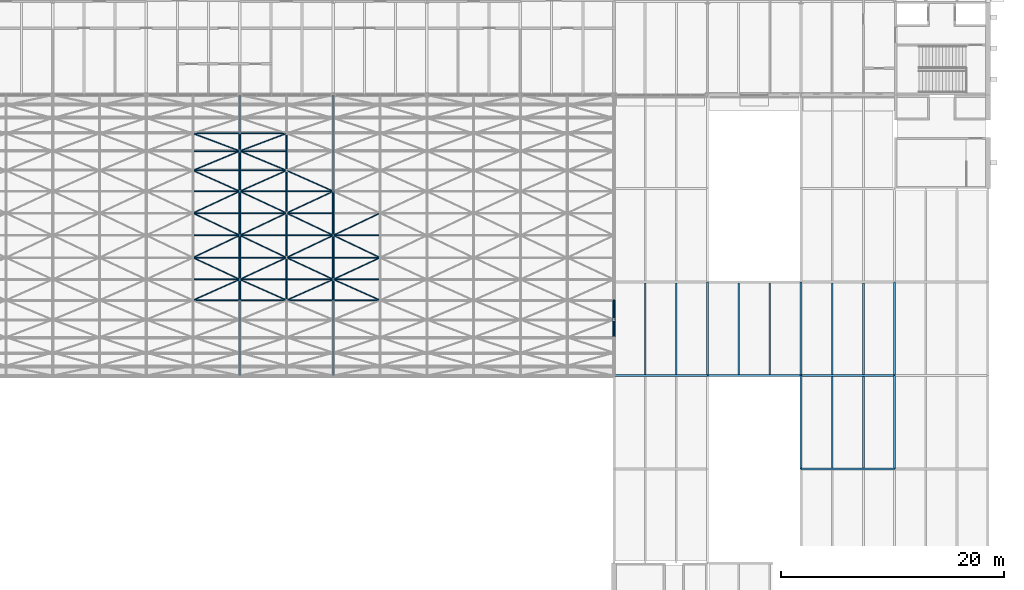
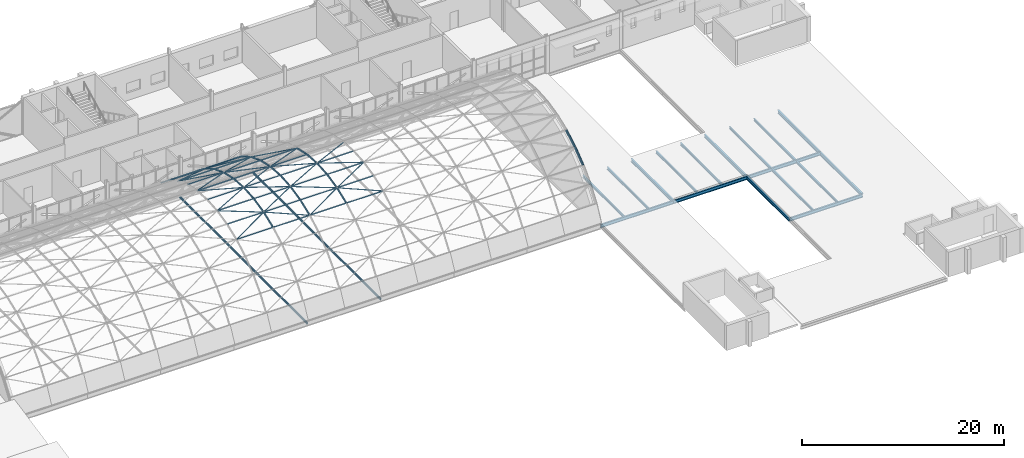
# One storey, part 51 of 121: 79 members, 17 beams.
"""IFC4 building model written with IfcOpenShell, lengths in metres."""

from ifc_helpers import new_model, si_unit, direction, frame, origin, origin_2d, place, context, subcontext, project, spatial, hollow_circle, i_section, extrude, material, material_profile, profile_set, type_object, element, save


model = new_model("IFC4")

# Units and contexts
model_context = context("Model", 3, precision=1e-05, world=origin(), true_north=direction((0.0, 1.0)))
body_context = subcontext(model_context, "Body", "Model", "MODEL_VIEW")
ifc_project = project(units=[si_unit("LENGTHUNIT", "METRE"), si_unit("AREAUNIT", "SQUARE_METRE"), si_unit("VOLUMEUNIT", "CUBIC_METRE"), si_unit("PLANEANGLEUNIT", "RADIAN"), si_unit("MASSUNIT", "GRAM", prefix="KILO")], contexts=[model_context])

# Site, building, storey
site_placement = place(None, origin())
site = spatial("IfcSite", under=ifc_project, at=site_placement, CompositionType="ELEMENT")
building_placement = place(site_placement, origin())
building = spatial("IfcBuilding", under=site, at=building_placement, Name="Ardhachandra Cancer Care Centre", CompositionType="ELEMENT")
storey_placement = place(building_placement, frame((0.0, 0.0, 9.0)))
storey = spatial("IfcBuildingStorey", under=building, at=storey_placement, Name="L02", CompositionType="ELEMENT", Elevation=9.0)

# Beams
ifc_material_1 = material(Name="Steel E350 (IS 2062)", Category="steel")
ifc_material_profile_1 = material_profile(ifc_material_1, i_section(OverallWidth=0.152099609375, OverallDepth=0.303955078125, WebThickness=0.008056640625, FlangeThickness=0.0126953125, FilletRadius=0.014892578125, at=origin_2d()), Name="NPB 300x150x49.32")
ifc_profile_set_1 = profile_set([ifc_material_profile_1], Name="Steel E350 (IS 2062)")
beam_type_1 = type_object("IfcBeamType", Name="Beam NPB 300x150x49.32", PredefinedType="BEAM", material=ifc_profile_set_1)
for number, where, z_axis, x_axis, name in (
    (1, (114.39990234375, 54.68994140625, -0.35205078125), (0.0, 1.0, 0.0), (-1.0, 0.0, 0.0), "Secondary F13-G13@2800"),
    (2, (117.199951171875, 54.68994140625, -0.35205078125), (0.0, 1.0, 0.0), (-1.0, 0.0, 0.0), "Secondary F13-G13@5600"),
    (3, (122.800048828125, 54.68994140625, -0.35205078125), (0.0, 1.0, 0.0), (-1.0, 0.0, 0.0), "Secondary F14-G14@2800"),
    (4, (125.60009765625, 54.68994140625, -0.35205078125), (0.0, 1.0, 0.0), (-1.0, 0.0, 0.0), "Secondary F14-G14@5600"),
    (5, (131.199951171875, 46.2900390625, -0.35205078125), (0.0, 1.0, 0.0), (-1.0, 0.0, 0.0), "Secondary E15-F15@2800"),
    (6, (131.199951171875, 54.68994140625, -0.35205078125), (0.0, 1.0, 0.0), (-1.0, 0.0, 0.0), "Secondary F15-G15@2800"),
    (7, (134.0, 46.2900390625, -0.35205078125), (0.0, 1.0, 0.0), (-1.0, 0.0, 0.0), "Secondary E15-F15@5600"),
    (8, (134.0, 54.68994140625, -0.35205078125), (0.0, 1.0, 0.0), (-1.0, 0.0, 0.0), "Secondary F15-G15@5600"),
):
    element("IfcBeam", number, at=place(storey_placement, frame(where, z_axis=z_axis, x_axis=x_axis)), inside=storey, type_object=beam_type_1, Name=name, PredefinedType="BEAM", context=body_context, shape_type="SweptSolid", body=[
        extrude(i_section(OverallWidth=0.152099609375, OverallDepth=0.303955078125, WebThickness=0.008056640625, FlangeThickness=0.0126953125, FilletRadius=0.014892578125, at=origin_2d()), origin(), (0.0, 0.0, 1.0), 8.219970703125),
    ])
ifc_material_2 = material(Name="Steel E350 (IS 2062)", Category="steel")
ifc_material_profile_2 = material_profile(ifc_material_2, i_section(OverallWidth=0.179931640625, OverallDepth=0.39990234375, WebThickness=0.008544921875, FlangeThickness=0.013427734375, FilletRadius=0.02099609375, at=origin_2d()), Name="NPB 400x180x66.30")
ifc_profile_set_2 = profile_set([ifc_material_profile_2], Name="Steel E350 (IS 2062)")
beam_type_2 = type_object("IfcBeamType", Name="Beam NPB 400x180x66.30", PredefinedType="BEAM", material=ifc_profile_set_2)
beam_1_placement = place(storey_placement, frame((128.39990234375, 46.199951171875, -0.39990234375), z_axis=(1.0, 0.0, 0.0), x_axis=(0.0, 1.0, 0.0)))
element("IfcBeam", 9, at=beam_1_placement, inside=storey, type_object=beam_type_2, Name="Girder E15-E16", PredefinedType="BEAM", context=body_context, shape_type="SweptSolid", body=[
    extrude(i_section(OverallWidth=0.179931640625, OverallDepth=0.39990234375, WebThickness=0.008544921875, FlangeThickness=0.013427734375, FilletRadius=0.02099609375, at=origin_2d()), origin(), (0.0, 0.0, 1.0), 8.400146484375),
])
for number, where, z_axis, x_axis, name in (
    (10, (111.60009765625, 54.60009765625, -0.39990234375), (1.0, 0.0, 0.0), (0.0, 1.0, 0.0), "Girder F13-F14"),
    (11, (120.0, 54.60009765625, -0.39990234375), (1.0, 0.0, 0.0), (0.0, 1.0, 0.0), "Girder F14-F15"),
):
    element("IfcBeam", number, at=place(storey_placement, frame(where, z_axis=z_axis, x_axis=x_axis)), inside=storey, type_object=beam_type_2, Name=name, PredefinedType="BEAM", context=body_context, shape_type="SweptSolid", body=[
        extrude(i_section(OverallWidth=0.179931640625, OverallDepth=0.39990234375, WebThickness=0.008544921875, FlangeThickness=0.013427734375, FilletRadius=0.02099609375, at=origin_2d()), origin(), (0.0, 0.0, 1.0), 8.39990234375),
    ])
beam_2_placement = place(storey_placement, frame((128.39990234375, 54.60009765625, -0.39990234375), z_axis=(1.0, 0.0, 0.0), x_axis=(0.0, 1.0, 0.0)))
element("IfcBeam", 12, at=beam_2_placement, inside=storey, type_object=beam_type_2, Name="Girder F15-F16", PredefinedType="BEAM", context=body_context, shape_type="SweptSolid", body=[
    extrude(i_section(OverallWidth=0.179931640625, OverallDepth=0.39990234375, WebThickness=0.008544921875, FlangeThickness=0.013427734375, FilletRadius=0.02099609375, at=origin_2d()), origin(), (0.0, 0.0, 1.0), 8.400146484375),
])
beam_3_placement = place(storey_placement, frame((120.0, 54.60009765625, -0.39990234375), z_axis=(0.0, 1.0, 0.0), x_axis=(-1.0, 0.0, 0.0)))
element("IfcBeam", 13, at=beam_3_placement, inside=storey, type_object=beam_type_2, Name="Girder F14-G14", PredefinedType="BEAM", context=body_context, shape_type="SweptSolid", body=[
    extrude(i_section(OverallWidth=0.179931640625, OverallDepth=0.39990234375, WebThickness=0.008544921875, FlangeThickness=0.013427734375, FilletRadius=0.02099609375, at=origin_2d()), origin(), (0.0, 0.0, 1.0), 8.39990234375),
])
beam_4_placement = place(storey_placement, frame((128.39990234375, 46.199951171875, -0.39990234375), z_axis=(0.0, 1.0, 0.0), x_axis=(-1.0, 0.0, 0.0)))
element("IfcBeam", 14, at=beam_4_placement, inside=storey, type_object=beam_type_2, Name="Girder E15-F15", PredefinedType="BEAM", context=body_context, shape_type="SweptSolid", body=[
    extrude(i_section(OverallWidth=0.179931640625, OverallDepth=0.39990234375, WebThickness=0.008544921875, FlangeThickness=0.013427734375, FilletRadius=0.02099609375, at=origin_2d()), origin(), (0.0, 0.0, 1.0), 8.400146484375),
])
beam_5_placement = place(storey_placement, frame((128.39990234375, 54.60009765625, -0.39990234375), z_axis=(0.0, 1.0, 0.0), x_axis=(-1.0, 0.0, 0.0)))
element("IfcBeam", 15, at=beam_5_placement, inside=storey, type_object=beam_type_2, Name="Girder F15-G15", PredefinedType="BEAM", context=body_context, shape_type="SweptSolid", body=[
    extrude(i_section(OverallWidth=0.179931640625, OverallDepth=0.39990234375, WebThickness=0.008544921875, FlangeThickness=0.013427734375, FilletRadius=0.02099609375, at=origin_2d()), origin(), (0.0, 0.0, 1.0), 8.39990234375),
])
beam_6_placement = place(storey_placement, frame((136.800048828125, 46.199951171875, -0.39990234375), z_axis=(0.0, 1.0, 0.0), x_axis=(-1.0, 0.0, 0.0)))
element("IfcBeam", 16, at=beam_6_placement, inside=storey, type_object=beam_type_2, Name="Girder E16-F16", PredefinedType="BEAM", context=body_context, shape_type="SweptSolid", body=[
    extrude(i_section(OverallWidth=0.179931640625, OverallDepth=0.39990234375, WebThickness=0.008544921875, FlangeThickness=0.013427734375, FilletRadius=0.02099609375, at=origin_2d()), origin(), (0.0, 0.0, 1.0), 8.400146484375),
])
beam_7_placement = place(storey_placement, frame((136.800048828125, 54.60009765625, -0.39990234375), z_axis=(0.0, 1.0, 0.0), x_axis=(-1.0, 0.0, 0.0)))
element("IfcBeam", 17, at=beam_7_placement, inside=storey, type_object=beam_type_2, Name="Girder F16-G16", PredefinedType="BEAM", context=body_context, shape_type="SweptSolid", body=[
    extrude(i_section(OverallWidth=0.179931640625, OverallDepth=0.39990234375, WebThickness=0.008544921875, FlangeThickness=0.013427734375, FilletRadius=0.02099609375, at=origin_2d()), origin(), (0.0, 0.0, 1.0), 8.39990234375),
])

# Members
ifc_material_3 = material(Name="Steel E350 (IS 2062)", Category="steel")
ifc_material_profile_3 = material_profile(ifc_material_3, hollow_circle(Radius=0.05712890625, WallThickness=0.0048828125, at=origin_2d()), Name="CHS 114.3x5.0")
ifc_profile_set_3 = profile_set([ifc_material_profile_3], Name="Steel E350 (IS 2062)")
member_type_1 = type_object("IfcMemberType", Name="Hall shell Diagonal CHS 114.3x5.0", PredefinedType="BRACE", material=ifc_profile_set_3)
for number, where, z_axis, x_axis, name in (
    (18, (73.800048828125, 61.37353515625, 7.093994140625), (0.902466898758, 0.401999874742, 0.154756574512), (-0.406901972634, 0.913471830253, 0.0), "Hall shell diagonal 07-05"),
    (19, (78.0, 63.244384765625, 7.814208984375), (-0.902454833565, 0.420355204404, 0.094216641346), (-0.422233417443, -0.906487143425, 0.0), "Hall shell diagonal 08-06"),
    (20, (73.800048828125, 65.20068359375, 8.252685546875), (0.902467816457, 0.42959419572, 0.031633325195), (-0.429809297591, 0.902919690617, 0.0), "Hall shell diagonal 07-07"),
    (21, (78.0, 67.199951171875, 8.39990234375), (-0.902467816457, 0.42959419572, -0.031633325195), (-0.429809297591, -0.902919690617, 0.0), "Hall shell diagonal 08-08"),
    (22, (73.800048828125, 69.19921875, 8.252685546875), (0.902454833565, 0.420355204404, -0.094216641346), (-0.422233417443, 0.906487143425, 0.0), "Hall shell diagonal 07-09"),
    (23, (78.0, 71.155517578125, 7.814208984375), (-0.902466898758, 0.401999874742, -0.154756574512), (-0.406901972634, -0.913471830253, 0.0), "Hall shell diagonal 08-10"),
):
    element("IfcMember", number, at=place(storey_placement, frame(where, z_axis=z_axis, x_axis=x_axis)), inside=storey, type_object=member_type_1, Name=name, PredefinedType="BRACE", context=body_context, shape_type="SweptSolid", body=[
        extrude(hollow_circle(Radius=0.05712890625, WallThickness=0.0048828125, at=origin_2d()), origin(), (0.0, 0.0, 1.0), 4.65380859375),
    ])
member_1_placement = place(storey_placement, frame((73.800048828125, 73.0263671875, 7.093994140625), z_axis=(0.902449746112, 0.375028380803, -0.211986247982), x_axis=(-0.383750001753, 0.923437023383, 0.0)))
element("IfcMember", 24, at=member_1_placement, inside=storey, type_object=member_type_1, Name="Hall shell diagonal 07-11", PredefinedType="BRACE", context=body_context, shape_type="SweptSolid", body=[
    extrude(hollow_circle(Radius=0.05712890625, WallThickness=0.0048828125, at=origin_2d()), origin(), (0.0, 0.0, 1.0), 4.654052734375),
])
for number, where, z_axis, x_axis, name in (
    (25, (78.0, 74.771728515625, 6.107421875), (-0.902472725391, 0.339889599942, -0.264609220884), (-0.352452515066, -0.935829698515, 0.0), "Hall shell diagonal 08-12"),
    (26, (82.199951171875, 61.37353515625, 7.093994140625), (-0.902466898758, 0.401999874742, 0.154756574512), (-0.406901972634, -0.913471830253, 0.0), "Hall shell diagonal 09-05"),
    (27, (78.0, 63.244384765625, 7.814208984375), (0.902454833565, 0.420355204404, 0.094216641346), (-0.422233417443, 0.906487143425, 0.0), "Hall shell diagonal 08-06"),
    (28, (82.199951171875, 65.20068359375, 8.252685546875), (-0.902467816457, 0.42959419572, 0.031633325195), (-0.429809297591, -0.902919690617, 0.0), "Hall shell diagonal 09-07"),
    (29, (78.0, 67.199951171875, 8.39990234375), (0.902467816457, 0.42959419572, -0.031633325195), (-0.429809297591, 0.902919690617, 0.0), "Hall shell diagonal 08-08"),
    (30, (82.199951171875, 69.19921875, 8.252685546875), (-0.902454833565, 0.420355204404, -0.094216641346), (-0.422233417443, -0.906487143425, 0.0), "Hall shell diagonal 09-09"),
    (31, (78.0, 71.155517578125, 7.814208984375), (0.902466898758, 0.401999874742, -0.154756574512), (-0.406901972634, 0.913471830253, 0.0), "Hall shell diagonal 08-10"),
):
    element("IfcMember", number, at=place(storey_placement, frame(where, z_axis=z_axis, x_axis=x_axis)), inside=storey, type_object=member_type_1, Name=name, PredefinedType="BRACE", context=body_context, shape_type="SweptSolid", body=[
        extrude(hollow_circle(Radius=0.05712890625, WallThickness=0.0048828125, at=origin_2d()), origin(), (0.0, 0.0, 1.0), 4.65380859375),
    ])
member_2_placement = place(storey_placement, frame((82.199951171875, 73.0263671875, 7.093994140625), z_axis=(-0.902449746112, 0.375028380803, -0.211986247982), x_axis=(-0.383750001753, -0.923437023383, 0.0)))
element("IfcMember", 32, at=member_2_placement, inside=storey, type_object=member_type_1, Name="Hall shell diagonal 09-11", PredefinedType="BRACE", context=body_context, shape_type="SweptSolid", body=[
    extrude(hollow_circle(Radius=0.05712890625, WallThickness=0.0048828125, at=origin_2d()), origin(), (0.0, 0.0, 1.0), 4.654052734375),
])
for number, where, z_axis, x_axis, name in (
    (33, (78.0, 74.771728515625, 6.107421875), (0.902472725391, 0.339889599942, -0.264609220884), (-0.352452515066, 0.935829698515, 0.0), "Hall shell diagonal 08-12"),
    (34, (82.199951171875, 61.37353515625, 7.093994140625), (0.902466898758, 0.401999874742, 0.154756574512), (-0.406901972634, 0.913471830253, 0.0), "Hall shell diagonal 09-05"),
    (35, (86.39990234375, 63.244384765625, 7.814208984375), (-0.902454833565, 0.420355204404, 0.094216641346), (-0.422233417443, -0.906487143425, 0.0), "Hall shell diagonal 10-06"),
    (36, (82.199951171875, 65.20068359375, 8.252685546875), (0.902467816457, 0.42959419572, 0.031633325195), (-0.429809297591, 0.902919690617, 0.0), "Hall shell diagonal 09-07"),
    (37, (86.39990234375, 67.199951171875, 8.39990234375), (-0.902467816457, 0.42959419572, -0.031633325195), (-0.429809297591, -0.902919690617, 0.0), "Hall shell diagonal 10-08"),
    (38, (82.199951171875, 69.19921875, 8.252685546875), (0.902454833565, 0.420355204404, -0.094216641346), (-0.422233417443, 0.906487143425, 0.0), "Hall shell diagonal 09-09"),
    (39, (86.39990234375, 71.155517578125, 7.814208984375), (-0.902466898758, 0.401999874742, -0.154756574512), (-0.406901972634, -0.913471830253, 0.0), "Hall shell diagonal 10-10"),
):
    element("IfcMember", number, at=place(storey_placement, frame(where, z_axis=z_axis, x_axis=x_axis)), inside=storey, type_object=member_type_1, Name=name, PredefinedType="BRACE", context=body_context, shape_type="SweptSolid", body=[
        extrude(hollow_circle(Radius=0.05712890625, WallThickness=0.0048828125, at=origin_2d()), origin(), (0.0, 0.0, 1.0), 4.65380859375),
    ])
for number, where, z_axis, x_axis, name in (
    (40, (90.60009765625, 61.37353515625, 7.093994140625), (-0.902476632176, 0.401980843546, 0.154749248135), (-0.406882236734, -0.913480621267, 0.0), "Hall shell diagonal 11-05"),
    (41, (86.39990234375, 63.244384765625, 7.814208984375), (0.902464567995, 0.420335304775, 0.094212181128), (-0.422213249889, 0.906496537014, 0.0), "Hall shell diagonal 10-06"),
    (42, (90.60009765625, 65.20068359375, 8.252685546875), (-0.902477549799, 0.429573858132, 0.031631827629), (-0.42978892944, -0.902929386016, 0.0), "Hall shell diagonal 11-07"),
    (43, (86.39990234375, 67.199951171875, 8.39990234375), (0.902477549799, 0.429573858132, -0.031631827629), (-0.42978892944, 0.902929386016, 0.0), "Hall shell diagonal 10-08"),
):
    element("IfcMember", number, at=place(storey_placement, frame(where, z_axis=z_axis, x_axis=x_axis)), inside=storey, type_object=member_type_1, Name=name, PredefinedType="BRACE", context=body_context, shape_type="SweptSolid", body=[
        extrude(hollow_circle(Radius=0.05712890625, WallThickness=0.0048828125, at=origin_2d()), origin(), (0.0, 0.0, 1.0), 4.654052734375),
    ])
ifc_material_4 = material(Name="Steel E350 (IS 2062)", Category="steel")
ifc_material_profile_4 = material_profile(ifc_material_4, hollow_circle(Radius=0.06982421875, WallThickness=0.0048828125, at=origin_2d()), Name="CHS 139.7x5.0")
ifc_profile_set_4 = profile_set([ifc_material_profile_4], Name="Steel E350 (IS 2062)")
member_type_2 = type_object("IfcMemberType", Name="Hall shell Purlin CHS 139.7x5.0", PredefinedType="PURLIN", material=ifc_profile_set_4)
for number, where, z_axis, x_axis, name in (
    (44, (73.800048828125, 61.37353515625, 7.093994140625), (1.0, 0.0, 0.0), (0.0, 1.0, 0.0), "Hall shell purlin 07-05"),
    (45, (78.0, 61.37353515625, 7.093994140625), (1.0, 0.0, 0.0), (0.0, 1.0, 0.0), "Hall shell purlin 08-05"),
    (46, (82.199951171875, 61.37353515625, 7.093994140625), (1.0, 0.0, 0.0), (0.0, 1.0, 0.0), "Hall shell purlin 09-05"),
):
    element("IfcMember", number, at=place(storey_placement, frame(where, z_axis=z_axis, x_axis=x_axis)), inside=storey, type_object=member_type_2, Name=name, PredefinedType="PURLIN", context=body_context, shape_type="SweptSolid", body=[
        extrude(hollow_circle(Radius=0.06982421875, WallThickness=0.0048828125, at=origin_2d()), origin(), (0.0, 0.0, 1.0), 4.199951171875),
    ])
member_3_placement = place(storey_placement, frame((86.39990234375, 61.37353515625, 7.093994140625), z_axis=(1.0, 0.0, 0.0), x_axis=(0.0, 1.0, 0.0)))
element("IfcMember", 47, at=member_3_placement, inside=storey, type_object=member_type_2, Name="Hall shell purlin 10-05", PredefinedType="PURLIN", context=body_context, shape_type="SweptSolid", body=[
    extrude(hollow_circle(Radius=0.06982421875, WallThickness=0.0048828125, at=origin_2d()), origin(), (0.0, 0.0, 1.0), 4.2001953125),
])
for number, where, z_axis, x_axis, name in (
    (48, (73.800048828125, 63.244384765625, 7.814208984375), (1.0, 0.0, 0.0), (0.0, 1.0, 0.0), "Hall shell purlin 07-06"),
    (49, (78.0, 63.244384765625, 7.814208984375), (1.0, 0.0, 0.0), (0.0, 1.0, 0.0), "Hall shell purlin 08-06"),
    (50, (82.199951171875, 63.244384765625, 7.814208984375), (1.0, 0.0, 0.0), (0.0, 1.0, 0.0), "Hall shell purlin 09-06"),
):
    element("IfcMember", number, at=place(storey_placement, frame(where, z_axis=z_axis, x_axis=x_axis)), inside=storey, type_object=member_type_2, Name=name, PredefinedType="PURLIN", context=body_context, shape_type="SweptSolid", body=[
        extrude(hollow_circle(Radius=0.06982421875, WallThickness=0.0048828125, at=origin_2d()), origin(), (0.0, 0.0, 1.0), 4.199951171875),
    ])
member_4_placement = place(storey_placement, frame((86.39990234375, 63.244384765625, 7.814208984375), z_axis=(1.0, 0.0, 0.0), x_axis=(0.0, 1.0, 0.0)))
element("IfcMember", 51, at=member_4_placement, inside=storey, type_object=member_type_2, Name="Hall shell purlin 10-06", PredefinedType="PURLIN", context=body_context, shape_type="SweptSolid", body=[
    extrude(hollow_circle(Radius=0.06982421875, WallThickness=0.0048828125, at=origin_2d()), origin(), (0.0, 0.0, 1.0), 4.2001953125),
])
for number, where, z_axis, x_axis, name in (
    (52, (73.800048828125, 65.20068359375, 8.252685546875), (1.0, 0.0, 0.0), (0.0, 1.0, 0.0), "Hall shell purlin 07-07"),
    (53, (78.0, 65.20068359375, 8.252685546875), (1.0, 0.0, 0.0), (0.0, 1.0, 0.0), "Hall shell purlin 08-07"),
    (54, (82.199951171875, 65.20068359375, 8.252685546875), (1.0, 0.0, 0.0), (0.0, 1.0, 0.0), "Hall shell purlin 09-07"),
):
    element("IfcMember", number, at=place(storey_placement, frame(where, z_axis=z_axis, x_axis=x_axis)), inside=storey, type_object=member_type_2, Name=name, PredefinedType="PURLIN", context=body_context, shape_type="SweptSolid", body=[
        extrude(hollow_circle(Radius=0.06982421875, WallThickness=0.0048828125, at=origin_2d()), origin(), (0.0, 0.0, 1.0), 4.199951171875),
    ])
member_5_placement = place(storey_placement, frame((86.39990234375, 65.20068359375, 8.252685546875), z_axis=(1.0, 0.0, 0.0), x_axis=(0.0, 1.0, 0.0)))
element("IfcMember", 55, at=member_5_placement, inside=storey, type_object=member_type_2, Name="Hall shell purlin 10-07", PredefinedType="PURLIN", context=body_context, shape_type="SweptSolid", body=[
    extrude(hollow_circle(Radius=0.06982421875, WallThickness=0.0048828125, at=origin_2d()), origin(), (0.0, 0.0, 1.0), 4.2001953125),
])
for number, where, z_axis, x_axis, name in (
    (56, (73.800048828125, 67.199951171875, 8.39990234375), (1.0, 0.0, 0.0), (0.0, 1.0, 0.0), "Hall shell purlin 07-08"),
    (57, (78.0, 67.199951171875, 8.39990234375), (1.0, 0.0, 0.0), (0.0, 1.0, 0.0), "Hall shell purlin 08-08"),
    (58, (82.199951171875, 67.199951171875, 8.39990234375), (1.0, 0.0, 0.0), (0.0, 1.0, 0.0), "Hall shell purlin 09-08"),
):
    element("IfcMember", number, at=place(storey_placement, frame(where, z_axis=z_axis, x_axis=x_axis)), inside=storey, type_object=member_type_2, Name=name, PredefinedType="PURLIN", context=body_context, shape_type="SweptSolid", body=[
        extrude(hollow_circle(Radius=0.06982421875, WallThickness=0.0048828125, at=origin_2d()), origin(), (0.0, 0.0, 1.0), 4.199951171875),
    ])
member_6_placement = place(storey_placement, frame((86.39990234375, 67.199951171875, 8.39990234375), z_axis=(1.0, 0.0, 0.0), x_axis=(0.0, 1.0, 0.0)))
element("IfcMember", 59, at=member_6_placement, inside=storey, type_object=member_type_2, Name="Hall shell purlin 10-08", PredefinedType="PURLIN", context=body_context, shape_type="SweptSolid", body=[
    extrude(hollow_circle(Radius=0.06982421875, WallThickness=0.0048828125, at=origin_2d()), origin(), (0.0, 0.0, 1.0), 4.2001953125),
])
for number, where, z_axis, x_axis, name in (
    (60, (73.800048828125, 69.19921875, 8.252685546875), (1.0, 0.0, 0.0), (0.0, 1.0, 0.0), "Hall shell purlin 07-09"),
    (61, (78.0, 69.19921875, 8.252685546875), (1.0, 0.0, 0.0), (0.0, 1.0, 0.0), "Hall shell purlin 08-09"),
    (62, (82.199951171875, 69.19921875, 8.252685546875), (1.0, 0.0, 0.0), (0.0, 1.0, 0.0), "Hall shell purlin 09-09"),
    (63, (73.800048828125, 71.155517578125, 7.814208984375), (1.0, 0.0, 0.0), (0.0, 1.0, 0.0), "Hall shell purlin 07-10"),
    (64, (78.0, 71.155517578125, 7.814208984375), (1.0, 0.0, 0.0), (0.0, 1.0, 0.0), "Hall shell purlin 08-10"),
    (65, (82.199951171875, 71.155517578125, 7.814208984375), (1.0, 0.0, 0.0), (0.0, 1.0, 0.0), "Hall shell purlin 09-10"),
    (66, (73.800048828125, 73.0263671875, 7.093994140625), (1.0, 0.0, 0.0), (0.0, 1.0, 0.0), "Hall shell purlin 07-11"),
    (67, (78.0, 73.0263671875, 7.093994140625), (1.0, 0.0, 0.0), (0.0, 1.0, 0.0), "Hall shell purlin 08-11"),
    (68, (73.800048828125, 74.771728515625, 6.107421875), (1.0, 0.0, 0.0), (0.0, 1.0, 0.0), "Hall shell purlin 07-12"),
    (69, (78.0, 74.771728515625, 6.107421875), (1.0, 0.0, 0.0), (0.0, 1.0, 0.0), "Hall shell purlin 08-12"),
    (70, (73.800048828125, 76.353515625, 4.8759765625), (1.0, 0.0, 0.0), (0.0, 1.0, 0.0), "Hall shell purlin 07-13"),
    (71, (78.0, 76.353515625, 4.8759765625), (1.0, 0.0, 0.0), (0.0, 1.0, 0.0), "Hall shell purlin 08-13"),
):
    element("IfcMember", number, at=place(storey_placement, frame(where, z_axis=z_axis, x_axis=x_axis)), inside=storey, type_object=member_type_2, Name=name, PredefinedType="PURLIN", context=body_context, shape_type="SweptSolid", body=[
        extrude(hollow_circle(Radius=0.06982421875, WallThickness=0.0048828125, at=origin_2d()), origin(), (0.0, 0.0, 1.0), 4.199951171875),
    ])
ifc_material_5 = material(Name="Steel E350 (IS 2062)", Category="steel")
ifc_material_profile_5 = material_profile(ifc_material_5, hollow_circle(Radius=0.096923828125, WallThickness=0.008056640625, at=origin_2d()), Name="CHS 193.7x8.0")
ifc_profile_set_5 = profile_set([ifc_material_profile_5], Name="Steel E350 (IS 2062)")
member_type_3 = type_object("IfcMemberType", Name="Hall shell Rib CHS 193.7x8.0", PredefinedType="RAFTER", material=ifc_profile_set_5)
member_7_placement = place(storey_placement, frame((78.0, 61.37353515625, 7.093994140625), z_axis=(0.0, 0.933235705219, 0.359264691426), x_axis=(-1.0, 0.0, 0.0)))
element("IfcMember", 72, at=member_7_placement, inside=storey, type_object=member_type_3, Name="Hall shell rib 08-05", PredefinedType="RAFTER", context=body_context, shape_type="SweptSolid", body=[
    extrude(hollow_circle(Radius=0.096923828125, WallThickness=0.008056640625, at=origin_2d()), origin(), (0.0, 0.0, 1.0), 2.004638671875),
])
member_8_placement = place(storey_placement, frame((78.0, 63.244384765625, 7.814208984375), z_axis=(0.0, 0.9757900251, 0.218709457766), x_axis=(-1.0, 0.0, 0.0)))
element("IfcMember", 73, at=member_8_placement, inside=storey, type_object=member_type_3, Name="Hall shell rib 08-06", PredefinedType="RAFTER", context=body_context, shape_type="SweptSolid", body=[
    extrude(hollow_circle(Radius=0.096923828125, WallThickness=0.008056640625, at=origin_2d()), origin(), (0.0, 0.0, 1.0), 2.0048828125),
])
for number, where, z_axis, x_axis, name in (
    (74, (78.0, 65.20068359375, 8.252685546875), (0.0, 0.997299891926, 0.073436541071), (-1.0, 0.0, 0.0), "Hall shell rib 08-07"),
    (75, (78.0, 67.199951171875, 8.39990234375), (0.0, 0.997299891926, -0.073436541071), (-1.0, 0.0, 0.0), "Hall shell rib 08-08"),
):
    element("IfcMember", number, at=place(storey_placement, frame(where, z_axis=z_axis, x_axis=x_axis)), inside=storey, type_object=member_type_3, Name=name, PredefinedType="RAFTER", context=body_context, shape_type="SweptSolid", body=[
        extrude(hollow_circle(Radius=0.096923828125, WallThickness=0.008056640625, at=origin_2d()), origin(), (0.0, 0.0, 1.0), 2.004638671875),
    ])
member_9_placement = place(storey_placement, frame((78.0, 69.19921875, 8.252685546875), z_axis=(0.0, 0.9757900251, -0.218709457766), x_axis=(-1.0, 0.0, 0.0)))
element("IfcMember", 76, at=member_9_placement, inside=storey, type_object=member_type_3, Name="Hall shell rib 08-09", PredefinedType="RAFTER", context=body_context, shape_type="SweptSolid", body=[
    extrude(hollow_circle(Radius=0.096923828125, WallThickness=0.008056640625, at=origin_2d()), origin(), (0.0, 0.0, 1.0), 2.0048828125),
])
member_10_placement = place(storey_placement, frame((78.0, 71.155517578125, 7.814208984375), z_axis=(0.0, 0.933235705219, -0.359264691426), x_axis=(-1.0, 0.0, 0.0)))
element("IfcMember", 77, at=member_10_placement, inside=storey, type_object=member_type_3, Name="Hall shell rib 08-10", PredefinedType="RAFTER", context=body_context, shape_type="SweptSolid", body=[
    extrude(hollow_circle(Radius=0.096923828125, WallThickness=0.008056640625, at=origin_2d()), origin(), (0.0, 0.0, 1.0), 2.004638671875),
])
member_11_placement = place(storey_placement, frame((78.0, 73.0263671875, 7.093994140625), z_axis=(0.0, 0.870549230609, -0.492081331779), x_axis=(-1.0, 0.0, 0.0)))
element("IfcMember", 78, at=member_11_placement, inside=storey, type_object=member_type_3, Name="Hall shell rib 08-11", PredefinedType="RAFTER", context=body_context, shape_type="SweptSolid", body=[
    extrude(hollow_circle(Radius=0.096923828125, WallThickness=0.008056640625, at=origin_2d()), origin(), (0.0, 0.0, 1.0), 2.0048828125),
])
for number, where, z_axis, x_axis, name in (
    (79, (78.0, 74.771728515625, 6.107421875), (0.0, 0.789070146017, -0.614303104879), (-1.0, 0.0, 0.0), "Hall shell rib 08-12"),
    (80, (82.199951171875, 61.37353515625, 7.093994140625), (0.0, 0.933235705219, 0.359264691426), (-1.0, 0.0, 0.0), "Hall shell rib 09-05"),
):
    element("IfcMember", number, at=place(storey_placement, frame(where, z_axis=z_axis, x_axis=x_axis)), inside=storey, type_object=member_type_3, Name=name, PredefinedType="RAFTER", context=body_context, shape_type="SweptSolid", body=[
        extrude(hollow_circle(Radius=0.096923828125, WallThickness=0.008056640625, at=origin_2d()), origin(), (0.0, 0.0, 1.0), 2.004638671875),
    ])
member_12_placement = place(storey_placement, frame((82.199951171875, 63.244384765625, 7.814208984375), z_axis=(0.0, 0.9757900251, 0.218709457766), x_axis=(-1.0, 0.0, 0.0)))
element("IfcMember", 81, at=member_12_placement, inside=storey, type_object=member_type_3, Name="Hall shell rib 09-06", PredefinedType="RAFTER", context=body_context, shape_type="SweptSolid", body=[
    extrude(hollow_circle(Radius=0.096923828125, WallThickness=0.008056640625, at=origin_2d()), origin(), (0.0, 0.0, 1.0), 2.0048828125),
])
for number, where, z_axis, x_axis, name in (
    (82, (82.199951171875, 65.20068359375, 8.252685546875), (0.0, 0.997299891926, 0.073436541071), (-1.0, 0.0, 0.0), "Hall shell rib 09-07"),
    (83, (82.199951171875, 67.199951171875, 8.39990234375), (0.0, 0.997299891926, -0.073436541071), (-1.0, 0.0, 0.0), "Hall shell rib 09-08"),
):
    element("IfcMember", number, at=place(storey_placement, frame(where, z_axis=z_axis, x_axis=x_axis)), inside=storey, type_object=member_type_3, Name=name, PredefinedType="RAFTER", context=body_context, shape_type="SweptSolid", body=[
        extrude(hollow_circle(Radius=0.096923828125, WallThickness=0.008056640625, at=origin_2d()), origin(), (0.0, 0.0, 1.0), 2.004638671875),
    ])
member_13_placement = place(storey_placement, frame((82.199951171875, 69.19921875, 8.252685546875), z_axis=(0.0, 0.9757900251, -0.218709457766), x_axis=(-1.0, 0.0, 0.0)))
element("IfcMember", 84, at=member_13_placement, inside=storey, type_object=member_type_3, Name="Hall shell rib 09-09", PredefinedType="RAFTER", context=body_context, shape_type="SweptSolid", body=[
    extrude(hollow_circle(Radius=0.096923828125, WallThickness=0.008056640625, at=origin_2d()), origin(), (0.0, 0.0, 1.0), 2.0048828125),
])
member_14_placement = place(storey_placement, frame((82.199951171875, 71.155517578125, 7.814208984375), z_axis=(0.0, 0.933235705219, -0.359264691426), x_axis=(-1.0, 0.0, 0.0)))
element("IfcMember", 85, at=member_14_placement, inside=storey, type_object=member_type_3, Name="Hall shell rib 09-10", PredefinedType="RAFTER", context=body_context, shape_type="SweptSolid", body=[
    extrude(hollow_circle(Radius=0.096923828125, WallThickness=0.008056640625, at=origin_2d()), origin(), (0.0, 0.0, 1.0), 2.004638671875),
])
member_15_placement = place(storey_placement, frame((82.199951171875, 73.0263671875, 7.093994140625), z_axis=(0.0, 0.870549230609, -0.492081331779), x_axis=(-1.0, 0.0, 0.0)))
element("IfcMember", 86, at=member_15_placement, inside=storey, type_object=member_type_3, Name="Hall shell rib 09-11", PredefinedType="RAFTER", context=body_context, shape_type="SweptSolid", body=[
    extrude(hollow_circle(Radius=0.096923828125, WallThickness=0.008056640625, at=origin_2d()), origin(), (0.0, 0.0, 1.0), 2.0048828125),
])
for number, where, z_axis, x_axis, name in (
    (87, (82.199951171875, 74.771728515625, 6.107421875), (0.0, 0.789070146017, -0.614303104879), (-1.0, 0.0, 0.0), "Hall shell rib 09-12"),
    (88, (86.39990234375, 61.37353515625, 7.093994140625), (0.0, 0.933235705219, 0.359264691426), (-1.0, 0.0, 0.0), "Hall shell rib 10-05"),
):
    element("IfcMember", number, at=place(storey_placement, frame(where, z_axis=z_axis, x_axis=x_axis)), inside=storey, type_object=member_type_3, Name=name, PredefinedType="RAFTER", context=body_context, shape_type="SweptSolid", body=[
        extrude(hollow_circle(Radius=0.096923828125, WallThickness=0.008056640625, at=origin_2d()), origin(), (0.0, 0.0, 1.0), 2.004638671875),
    ])
member_16_placement = place(storey_placement, frame((86.39990234375, 63.244384765625, 7.814208984375), z_axis=(0.0, 0.9757900251, 0.218709457766), x_axis=(-1.0, 0.0, 0.0)))
element("IfcMember", 89, at=member_16_placement, inside=storey, type_object=member_type_3, Name="Hall shell rib 10-06", PredefinedType="RAFTER", context=body_context, shape_type="SweptSolid", body=[
    extrude(hollow_circle(Radius=0.096923828125, WallThickness=0.008056640625, at=origin_2d()), origin(), (0.0, 0.0, 1.0), 2.0048828125),
])
for number, where, z_axis, x_axis, name in (
    (90, (86.39990234375, 65.20068359375, 8.252685546875), (0.0, 0.997299891926, 0.073436541071), (-1.0, 0.0, 0.0), "Hall shell rib 10-07"),
    (91, (86.39990234375, 67.199951171875, 8.39990234375), (0.0, 0.997299891926, -0.073436541071), (-1.0, 0.0, 0.0), "Hall shell rib 10-08"),
):
    element("IfcMember", number, at=place(storey_placement, frame(where, z_axis=z_axis, x_axis=x_axis)), inside=storey, type_object=member_type_3, Name=name, PredefinedType="RAFTER", context=body_context, shape_type="SweptSolid", body=[
        extrude(hollow_circle(Radius=0.096923828125, WallThickness=0.008056640625, at=origin_2d()), origin(), (0.0, 0.0, 1.0), 2.004638671875),
    ])
member_17_placement = place(storey_placement, frame((86.39990234375, 69.19921875, 8.252685546875), z_axis=(0.0, 0.9757900251, -0.218709457766), x_axis=(-1.0, 0.0, 0.0)))
element("IfcMember", 92, at=member_17_placement, inside=storey, type_object=member_type_3, Name="Hall shell rib 10-09", PredefinedType="RAFTER", context=body_context, shape_type="SweptSolid", body=[
    extrude(hollow_circle(Radius=0.096923828125, WallThickness=0.008056640625, at=origin_2d()), origin(), (0.0, 0.0, 1.0), 2.0048828125),
])
ifc_material_6 = material(Name="Steel E350 (IS 2062)", Category="steel")
ifc_material_profile_6 = material_profile(ifc_material_6, hollow_circle(Radius=0.122314453125, WallThickness=0.010009765625, at=origin_2d()), Name="CHS 244.5x10.0")
ifc_profile_set_6 = profile_set([ifc_material_profile_6], Name="Steel E350 (IS 2062)")
member_type_4 = type_object("IfcMemberType", Name="Hall shell Rib CHS 244.5x10.0", PredefinedType="RAFTER", material=ifc_profile_set_6)
member_18_placement = place(storey_placement, frame((111.60009765625, 58.04638671875, 4.8759765625), z_axis=(0.0, 0.789116098656, 0.614244074324), x_axis=(-1.0, 0.0, 0.0)))
element("IfcMember", 93, at=member_18_placement, inside=storey, type_object=member_type_4, Name="Hall shell rib 16-03", PredefinedType="RAFTER", context=body_context, shape_type="SweptSolid", body=[
    extrude(hollow_circle(Radius=0.122314453125, WallThickness=0.010009765625, at=origin_2d()), origin(), (0.0, 0.0, 1.0), 2.0048828125),
])
member_19_placement = place(storey_placement, frame((111.60009765625, 59.62841796875, 6.107421875), z_axis=(0.0, 0.870519739515, 0.492133501312), x_axis=(-1.0, 0.0, 0.0)))
element("IfcMember", 94, at=member_19_placement, inside=storey, type_object=member_type_4, Name="Hall shell rib 16-04", PredefinedType="RAFTER", context=body_context, shape_type="SweptSolid", body=[
    extrude(hollow_circle(Radius=0.122314453125, WallThickness=0.010009765625, at=origin_2d()), origin(), (0.0, 0.0, 1.0), 2.004638671875),
])
ifc_material_7 = material(Name="Steel E350 (IS 2062)", Category="steel")
ifc_material_profile_7 = material_profile(ifc_material_7, hollow_circle(Radius=0.122314453125, WallThickness=0.010009765625, at=origin_2d()), Name="CHS 244.5x10.0")
ifc_profile_set_7 = profile_set([ifc_material_profile_7], Name="Steel E350 (IS 2062)")
member_type_5 = type_object("IfcMemberType", Name="Hall tie CHS 244.5x10.0", PredefinedType="MEMBER", material=ifc_profile_set_7)
for number, where, z_axis, x_axis, name in (
    (95, (78.0, 54.60009765625, -0.41455078125), (0.0, 1.0, 0.0), (-1.0, 0.0, 0.0), "Hall tie 04"),
    (96, (86.39990234375, 54.60009765625, -0.41455078125), (0.0, 1.0, 0.0), (-1.0, 0.0, 0.0), "Hall tie 05"),
):
    element("IfcMember", number, at=place(storey_placement, frame(where, z_axis=z_axis, x_axis=x_axis)), inside=storey, type_object=member_type_5, Name=name, PredefinedType="MEMBER", context=body_context, shape_type="SweptSolid", body=[
        extrude(hollow_circle(Radius=0.122314453125, WallThickness=0.010009765625, at=origin_2d()), origin(), (0.0, 0.0, 1.0), 25.199951171875),
    ])

save(model, "model.ifc")
